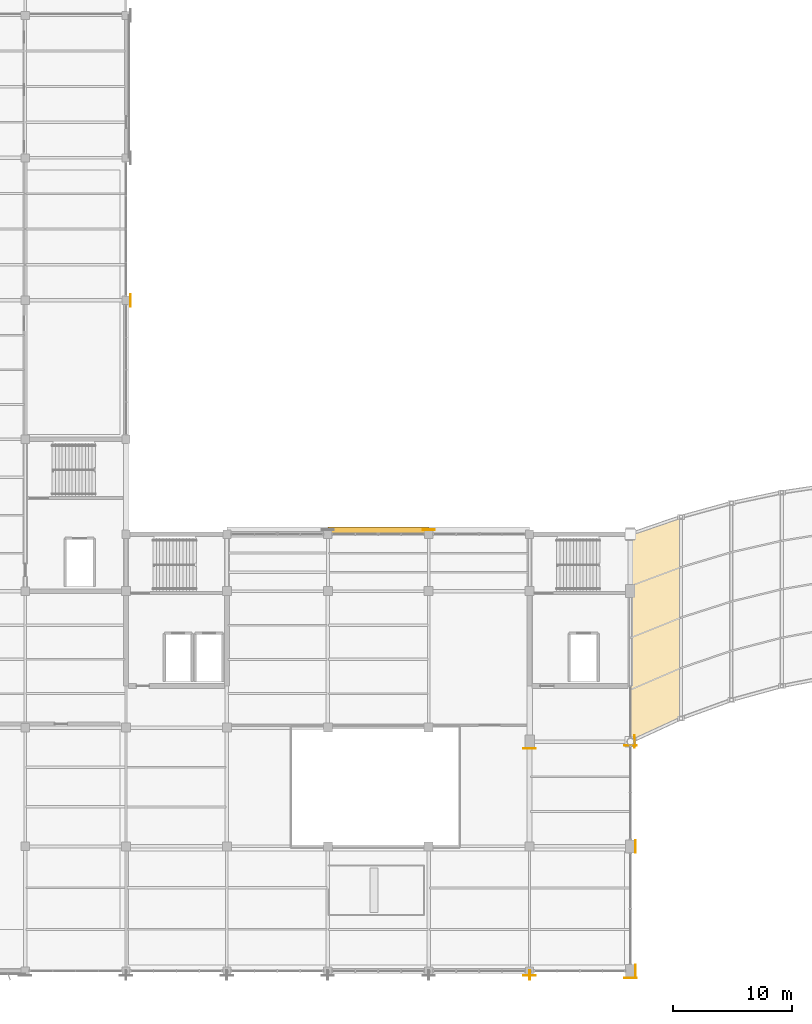
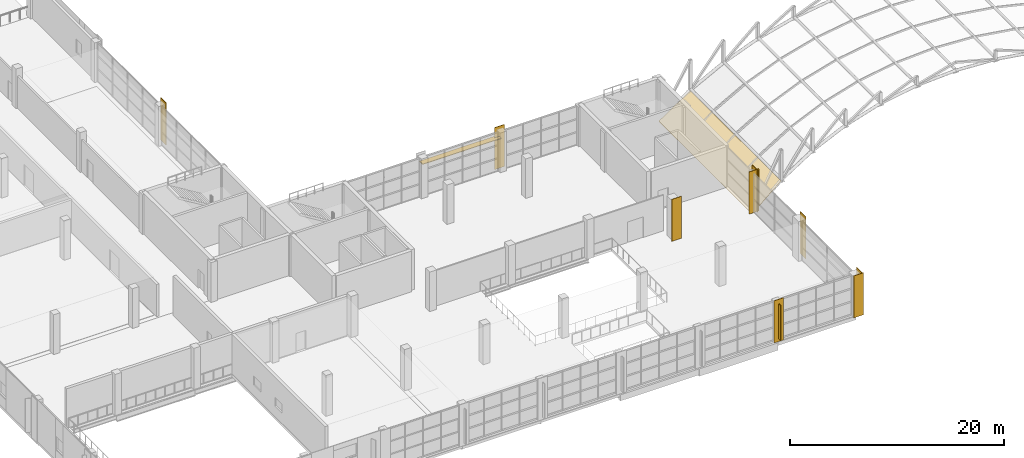
# One storey, part 93 of 101: 10 coverings, 2 shading devices.
"""IFC4 building model written with IfcOpenShell, lengths in metres."""

from ifc_helpers import new_model, si_unit, direction, frame, origin, origin_2d, place, context, subcontext, project, spatial, polyline, rectangle, hollow_rectangle, outline, extrude, material, layer, layer_set, material_profile, profile_set, type_object, element, save


model = new_model("IFC4")

# Units and contexts
model_context = context("Model", 3, precision=1e-05, world=origin(), true_north=direction((0.0, 1.0)))
body_context = subcontext(model_context, "Body", "Model", "MODEL_VIEW")
ifc_project = project(units=[si_unit("LENGTHUNIT", "METRE"), si_unit("AREAUNIT", "SQUARE_METRE"), si_unit("VOLUMEUNIT", "CUBIC_METRE"), si_unit("PLANEANGLEUNIT", "RADIAN"), si_unit("MASSUNIT", "GRAM", prefix="KILO")], contexts=[model_context])

# Site, building, storey
site_placement = place(None, origin())
site = spatial("IfcSite", under=ifc_project, at=site_placement, CompositionType="ELEMENT")
building_placement = place(site_placement, origin())
building = spatial("IfcBuilding", under=site, at=building_placement, Name="Solvikara Media Centre", CompositionType="ELEMENT")
storey_placement = place(building_placement, frame((0.0, 0.0, 10.199951171875)))
storey = spatial("IfcBuildingStorey", under=building, at=storey_placement, Name="L02", CompositionType="ELEMENT", Elevation=10.199951171875)

# Coverings
ifc_material_1 = material(Name="Perforated acoustic gypsum ceiling board")
ifc_layer_1 = layer(ifc_material_1, 0.0400390625)
ifc_layer_set_1 = layer_set([ifc_layer_1], Name="Perforated acoustic gypsum ceiling board")
covering_type_1 = type_object("IfcCoveringType", Name="CV-01", PredefinedType="CEILING", material=ifc_layer_set_1)
covering_placement = place(storey_placement, frame((76.5, 19.323974609375, -0.3798828125), z_axis=(-0.25376297129, 0.0, 0.96726643403), x_axis=(0.883729951341, 0.406532022653, 0.231847121311)))
element("IfcCovering", 1, at=covering_placement, inside=storey, type_object=covering_type_1, Name="SOF-ARC-00", PredefinedType="CEILING", context=body_context, shape_type="SweptSolid", body=[
    extrude(outline(polyline([(0.0, 0.0), (4.80916143393057, 2.220446049250313e-16), (11.71246424242621, 15.514422710219517), (7.104583800180218, 15.966779860869735), (0.0, 0.0)])), origin(), (0.0, 0.0, -1.0), 0.0400390625),
])
ifc_material_2 = material(Name="GFRC white mineral architectural rainscreen panel")
ifc_layer_2 = layer(ifc_material_2, 0.050048828125)
ifc_layer_set_2 = layer_set([ifc_layer_2], Name="GFRC white mineral architectural rainscreen panel")
covering_type_2 = type_object("IfcCoveringType", Name="CV-04", PredefinedType="CLADDING", material=ifc_layer_set_2)
for number, where, z_axis, x_axis, name in (
    (2, (34.375, 56.5, 0.0), (0.0, 0.0, 1.0), (0.0, 1.0, 0.0), "PIL-L02-071"),
    (3, (59.5, 37.175048828125, 0.0), (0.0, 0.0, 1.0), (-1.0, 0.0, 0.0), "PIL-L02-137"),
    (4, (68.0, -0.375, 0.0), (0.0, 0.0, 1.0), (1.0, 0.0, 0.0), "PIL-L02-141"),
    (5, (76.925048828125, 0.0, 0.0), (0.0, 0.0, 1.0), (0.0, 1.0, 0.0), "PIL-L02-155"),
    (6, (76.5, -0.574951171875, 0.0), (0.0, 0.0, 1.0), (1.0, 0.0, 0.0), "PIL-L02-156"),
    (7, (76.925048828125, 10.5, 0.0), (0.0, 0.0, 1.0), (0.0, 1.0, 0.0), "PIL-L02-159"),
    (8, (68.0, 18.7490234375, 0.0), (0.0, 0.0, 1.0), (1.0, 0.0, 0.0), "PIL-L02-162"),
    (9, (76.830078125, 19.323974609375, 0.0), (0.0, 0.0, 1.0), (0.0, 1.0, 0.0), "PIL-L02-175"),
    (10, (76.5, 18.993896484375, 0.0), (0.0, 0.0, 1.0), (1.0, 0.0, 0.0), "PIL-L02-176"),
):
    element("IfcCovering", number, at=place(storey_placement, frame(where, z_axis=z_axis, x_axis=x_axis)), inside=storey, type_object=covering_type_2, Name=name, PredefinedType="CLADDING", context=body_context, shape_type="SweptSolid", body=[
        extrude(rectangle(XDim=1.0400390625, YDim=0.050048828125, at=origin_2d()), origin(), (0.0, 0.0, 1.0), 4.800048828125),
    ])

# Shading devices
ifc_material_3 = material(Name="Anodised aluminium EN AW-6063", Category="aluminium")
ifc_material_profile_1 = material_profile(ifc_material_3, hollow_rectangle(XDim=0.080078125, YDim=0.800048828125, WallThickness=0.00390625, at=origin_2d()), Name="ALU-FIN 80x800x4")
ifc_profile_set_1 = profile_set([ifc_material_profile_1], Name="Anodised aluminium EN AW-6063")
shading_device_type_1 = type_object("IfcShadingDeviceType", Name="SH-01", PredefinedType="USERDEFINED", material=ifc_profile_set_1)
shading_device_1_placement = place(storey_placement, frame((68.0, -0.35009765625, 0.300048828125), z_axis=(0.0, 0.0, 1.0), x_axis=(1.0, 0.0, 0.0)))
element("IfcShadingDevice", 11, at=shading_device_1_placement, inside=storey, type_object=shading_device_type_1, Name="FIN-L02-010", ObjectType="FIN", PredefinedType="USERDEFINED", context=body_context, shape_type="SweptSolid", body=[
    extrude(hollow_rectangle(XDim=0.080078125, YDim=0.800048828125, WallThickness=0.00390625, at=origin_2d()), origin(), (0.0, 0.0, 1.0), 4.0),
])
ifc_material_profile_2 = material_profile(ifc_material_3, hollow_rectangle(XDim=0.60009765625, YDim=0.06005859375, WallThickness=0.00341796875, at=origin_2d()), Name="ALU-LOUVRE 60x600x3.5")
ifc_profile_set_2 = profile_set([ifc_material_profile_2], Name="Anodised aluminium EN AW-6063")
shading_device_type_2 = type_object("IfcShadingDeviceType", Name="SH-02", PredefinedType="JALOUSIE", material=ifc_profile_set_2)
shading_device_2_placement = place(storey_placement, frame((51.0, 37.10009765625, 3.60009765625), z_axis=(1.0, 0.0, 0.0), x_axis=(0.0, 1.0, 0.0)))
element("IfcShadingDevice", 12, at=shading_device_2_placement, inside=storey, type_object=shading_device_type_2, Name="LVR-L02-008", PredefinedType="JALOUSIE", context=body_context, shape_type="SweptSolid", body=[
    extrude(hollow_rectangle(XDim=0.60009765625, YDim=0.06005859375, WallThickness=0.00341796875, at=origin_2d()), origin(), (0.0, 0.0, 1.0), 8.5),
])

save(model, "model.ifc")
